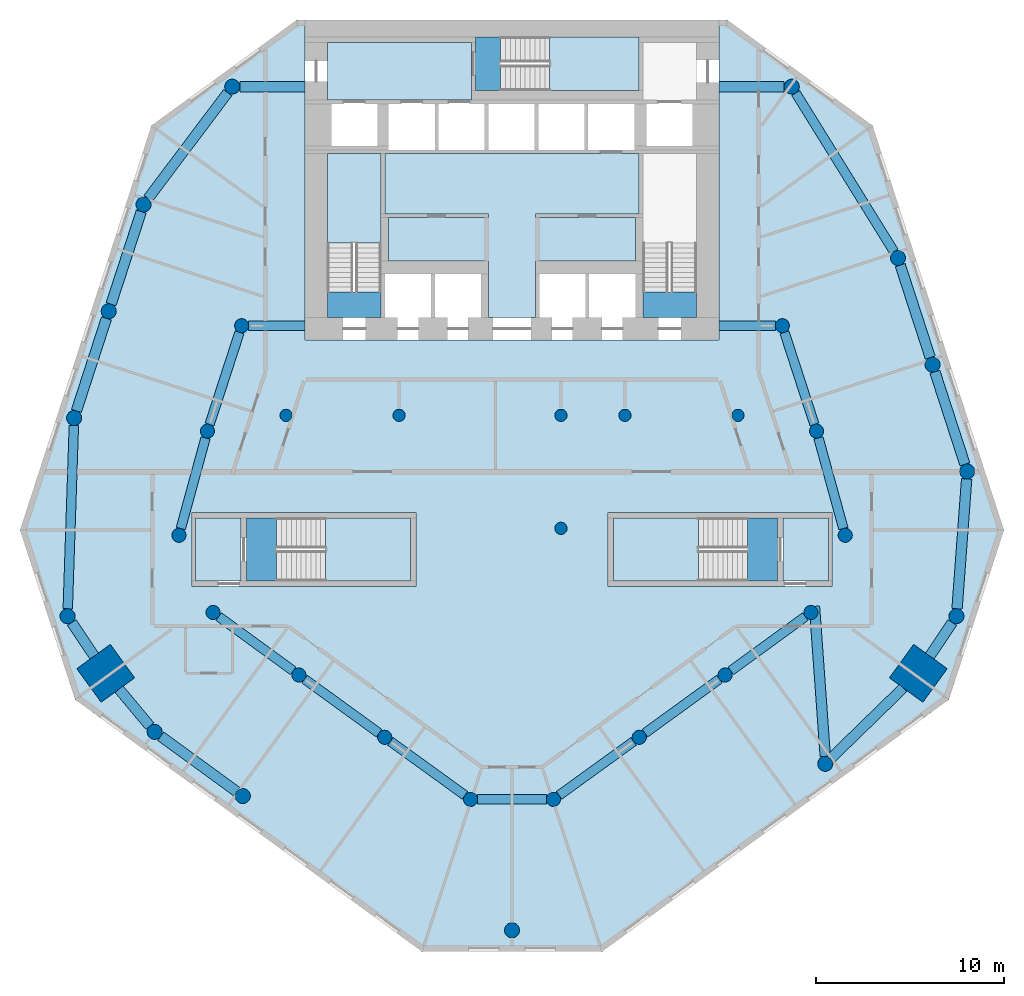
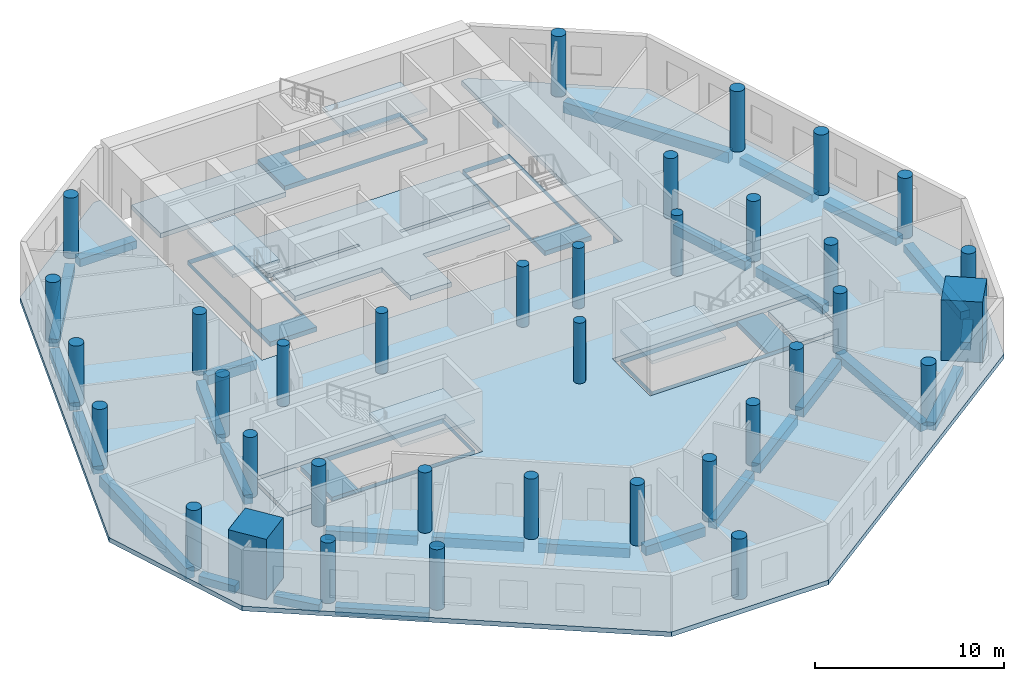
# One storey, part 1 of 9: 36 columns, 29 beams, 14 slabs, 4 elements without a shape of their own.
"""IFC4 building model written with IfcOpenShell, lengths in metres."""

from ifc_helpers import new_model, si_unit, direction, frame, origin, origin_2d, place, context, subcontext, project, spatial, polyline, rectangle, circle, outline, extrude, material, layer, layer_set, material_profile, profile_set, type_object, element, aggregate, save


model = new_model("IFC4")

# Units and contexts
model_context = context("Model", 3, precision=1e-05, world=origin(), true_north=direction((0.0, 1.0)))
body_context = subcontext(model_context, "Body", "Model", "MODEL_VIEW")
ifc_project = project(units=[si_unit("LENGTHUNIT", "METRE"), si_unit("AREAUNIT", "SQUARE_METRE"), si_unit("VOLUMEUNIT", "CUBIC_METRE"), si_unit("PLANEANGLEUNIT", "RADIAN"), si_unit("MASSUNIT", "GRAM", prefix="KILO")], contexts=[model_context])

# Site, building, storey
site_placement = place(None, origin())
site = spatial("IfcSite", under=ifc_project, at=site_placement, CompositionType="ELEMENT")
building_placement = place(site_placement, origin())
building = spatial("IfcBuilding", under=site, at=building_placement, Name="White Candle Pilgrim Tower", CompositionType="ELEMENT")
storey_placement = place(building_placement, frame((0.0, 0.0, 74.10009765625)))
storey = spatial("IfcBuildingStorey", under=building, at=storey_placement, Name="L15", CompositionType="ELEMENT", Elevation=74.10009765625)

# Columns
ifc_material_1 = material(Name="Concrete C80/95", Category="concrete")
ifc_material_profile_1 = material_profile(ifc_material_1, circle(Radius=0.324951171875, at=origin_2d()), Name="RC-COL D650")
ifc_profile_set_1 = profile_set([ifc_material_profile_1], Name="Concrete C80/95")
column_type_1 = type_object("IfcColumnType", Name="Interior column RC-COL D650 C80/95", PredefinedType="COLUMN", material=ifc_profile_set_1)
for number, where, z_axis, x_axis, name in (
    (1, (58.0, 67.0, 0.0), (0.0, 0.0, 1.0), (1.0, 0.0, 0.0), "L15 column I01"),
    (2, (64.0, 67.0, 0.0), (0.0, 0.0, 1.0), (1.0, 0.0, 0.0), "L15 column I02"),
    (3, (72.60009765625, 61.0, 0.0), (0.0, 0.0, 1.0), (1.0, 0.0, 0.0), "L15 column I03"),
    (4, (72.60009765625, 67.0, 0.0), (0.0, 0.0, 1.0), (1.0, 0.0, 0.0), "L15 column I04"),
    (5, (76.0, 67.0, 0.0), (0.0, 0.0, 1.0), (1.0, 0.0, 0.0), "L15 column I05"),
    (6, (82.0, 67.0, 0.0), (0.0, 0.0, 1.0), (1.0, 0.0, 0.0), "L15 column I06"),
):
    element("IfcColumn", number, at=place(storey_placement, frame(where, z_axis=z_axis, x_axis=x_axis)), inside=storey, type_object=column_type_1, Name=name, PredefinedType="COLUMN", context=body_context, shape_type="SweptSolid", body=[
        extrude(circle(Radius=0.324951171875, at=origin_2d()), origin(), (0.0, 0.0, 1.0), 3.89990234375),
    ])
ifc_material_profile_2 = material_profile(ifc_material_1, rectangle(XDim=2.199951171875, YDim=2.199951171875, at=origin_2d()), Name="RC 2200x2200")
ifc_profile_set_2 = profile_set([ifc_material_profile_2], Name="Concrete C80/95")
column_type_2 = type_object("IfcColumnType", Name="Mega column RC 2200x2200 C80/95", PredefinedType="COLUMN", material=ifc_profile_set_2)
for number, where, z_axis, x_axis, name in (
    (7, (48.419921875, 53.300048828125, 0.0), (0.0, 0.0, 1.0), (-0.809016994375, -0.587785252292, 0.0), "L15 mega column T02"),
    (8, (91.580078125, 53.300048828125, 0.0), (0.0, 0.0, 1.0), (0.809016994375, -0.587785252292, 0.0), "L15 mega column T07"),
):
    element("IfcColumn", number, at=place(storey_placement, frame(where, z_axis=z_axis, x_axis=x_axis)), inside=storey, type_object=column_type_2, Name=name, PredefinedType="COLUMN", context=body_context, shape_type="SweptSolid", body=[
        extrude(rectangle(XDim=2.199951171875, YDim=2.199951171875, at=origin_2d()), origin(), (0.0, 0.0, 1.0), 3.89990234375),
    ])
ifc_material_profile_3 = material_profile(ifc_material_1, circle(Radius=0.39990234375, at=origin_2d()), Name="RC-COL D800")
ifc_profile_set_3 = profile_set([ifc_material_profile_3], Name="Concrete C80/95")
column_type_3 = type_object("IfcColumnType", Name="Perimeter column RC-COL D800 C80/95", PredefinedType="COLUMN", material=ifc_profile_set_3)
for number, where, z_axis, x_axis, name in (
    (9, (46.389892578125, 56.330078125, 0.0), (0.0, 0.0, 1.0), (1.0, 0.0, 0.0), "L15 column T01"),
    (10, (51.02001953125, 50.18994140625, 0.0), (0.0, 0.0, 1.0), (1.0, 0.0, 0.0), "L15 column T03"),
    (11, (55.699951171875, 46.780029296875, 0.0), (0.0, 0.0, 1.0), (1.0, 0.0, 0.0), "L15 column T04"),
    (12, (70.0, 39.64990234375, 0.0), (0.0, 0.0, 1.0), (1.0, 0.0, 0.0), "L15 column T05"),
    (13, (86.639892578125, 48.489990234375, 0.0), (0.0, 0.0, 1.0), (1.0, 0.0, 0.0), "L15 column T06"),
    (14, (93.610107421875, 56.330078125, 0.0), (0.0, 0.0, 1.0), (1.0, 0.0, 0.0), "L15 column T08"),
    (15, (94.179931640625, 64.02001953125, 0.0), (0.0, 0.0, 1.0), (1.0, 0.0, 0.0), "L15 column T09"),
    (16, (92.340087890625, 69.68994140625, 0.0), (0.0, 0.0, 1.0), (1.0, 0.0, 0.0), "L15 column T10"),
    (17, (90.5, 75.360107421875, 0.0), (0.0, 0.0, 1.0), (1.0, 0.0, 0.0), "L15 column T11"),
    (18, (84.860107421875, 84.4599609375, 0.0), (0.0, 0.0, 1.0), (1.0, 0.0, 0.0), "L15 column T12"),
    (19, (55.139892578125, 84.4599609375, 0.0), (0.0, 0.0, 1.0), (1.0, 0.0, 0.0), "L15 column T13"),
    (20, (50.429931640625, 78.199951171875, 0.0), (0.0, 0.0, 1.0), (1.0, 0.0, 0.0), "L15 column T14"),
    (21, (48.580078125, 72.530029296875, 0.0), (0.0, 0.0, 1.0), (1.0, 0.0, 0.0), "L15 column T15"),
    (22, (46.739990234375, 66.860107421875, 0.0), (0.0, 0.0, 1.0), (1.0, 0.0, 0.0), "L15 column T16"),
):
    element("IfcColumn", number, at=place(storey_placement, frame(where, z_axis=z_axis, x_axis=x_axis)), inside=storey, type_object=column_type_3, Name=name, PredefinedType="COLUMN", context=body_context, shape_type="SweptSolid", body=[
        extrude(circle(Radius=0.39990234375, at=origin_2d()), origin(), (0.0, 0.0, 1.0), 3.89990234375),
    ])
ifc_material_profile_4 = material_profile(ifc_material_1, circle(Radius=0.375, at=origin_2d()), Name="RC-COL D750")
ifc_profile_set_4 = profile_set([ifc_material_profile_4], Name="Concrete C80/95")
column_type_4 = type_object("IfcColumnType", Name="Ring column RC-COL D750 C80/95", PredefinedType="COLUMN", material=ifc_profile_set_4)
for number, where, z_axis, x_axis, name in (
    (23, (52.31005859375, 60.6298828125, 0.0), (0.0, 0.0, 1.0), (1.0, 0.0, 0.0), "L15 column R01"),
    (24, (54.1201171875, 56.530029296875, 0.0), (0.0, 0.0, 1.0), (1.0, 0.0, 0.0), "L15 column R02"),
    (25, (58.679931640625, 53.2099609375, 0.0), (0.0, 0.0, 1.0), (1.0, 0.0, 0.0), "L15 column R03"),
    (26, (63.239990234375, 49.89990234375, 0.0), (0.0, 0.0, 1.0), (1.0, 0.0, 0.0), "L15 column R04"),
    (27, (67.800048828125, 46.60009765625, 0.0), (0.0, 0.0, 1.0), (1.0, 0.0, 0.0), "L15 column R05"),
    (28, (72.199951171875, 46.60009765625, 0.0), (0.0, 0.0, 1.0), (1.0, 0.0, 0.0), "L15 column R06"),
    (29, (76.760009765625, 49.89990234375, 0.0), (0.0, 0.0, 1.0), (1.0, 0.0, 0.0), "L15 column R07"),
    (30, (81.320068359375, 53.2099609375, 0.0), (0.0, 0.0, 1.0), (1.0, 0.0, 0.0), "L15 column R08"),
    (31, (85.8798828125, 56.530029296875, 0.0), (0.0, 0.0, 1.0), (1.0, 0.0, 0.0), "L15 column R09"),
    (32, (87.699951171875, 60.6298828125, 0.0), (0.0, 0.0, 1.0), (1.0, 0.0, 0.0), "L15 column R10"),
    (33, (86.179931640625, 66.159912109375, 0.0), (0.0, 0.0, 1.0), (1.0, 0.0, 0.0), "L15 column R11"),
    (34, (84.360107421875, 71.760009765625, 0.0), (0.0, 0.0, 1.0), (1.0, 0.0, 0.0), "L15 column R12"),
    (35, (55.639892578125, 71.760009765625, 0.0), (0.0, 0.0, 1.0), (1.0, 0.0, 0.0), "L15 column R13"),
    (36, (53.820068359375, 66.159912109375, 0.0), (0.0, 0.0, 1.0), (1.0, 0.0, 0.0), "L15 column R14"),
):
    element("IfcColumn", number, at=place(storey_placement, frame(where, z_axis=z_axis, x_axis=x_axis)), inside=storey, type_object=column_type_4, Name=name, PredefinedType="COLUMN", context=body_context, shape_type="SweptSolid", body=[
        extrude(circle(Radius=0.375, at=origin_2d()), origin(), (0.0, 0.0, 1.0), 3.89990234375),
    ])

# Beams
ifc_material_2 = material(Name="Concrete C50/60", Category="concrete")
ifc_material_profile_5 = material_profile(ifc_material_2, rectangle(XDim=0.5, YDim=0.60009765625, at=origin_2d()), Name="RC-BM 500x600")
ifc_profile_set_5 = profile_set([ifc_material_profile_5], Name="Concrete C50/60")
beam_type_1 = type_object("IfcBeamType", Name="Ring beam RC-BM 500x600 C50/60", PredefinedType="BEAM", material=ifc_profile_set_5)
beam_1_placement = place(storey_placement, frame((54.423095703125, 56.309326171875, -0.60009765625), z_axis=(0.808431607518, -0.58859012561, 0.0), x_axis=(0.58859012561, 0.808431607518, 0.0)))
element("IfcBeam", 37, at=beam_1_placement, inside=storey, type_object=beam_type_1, Name="L15 ring beam R01", PredefinedType="BEAM", context=body_context, shape_type="SweptSolid", body=[
    extrude(rectangle(XDim=0.5, YDim=0.60009765625, at=origin_2d()), origin(), (0.0, 0.0, 1.0), 4.890869140625),
])
beam_2_placement = place(storey_placement, frame((58.9833984375, 52.98974609375, -0.60009765625), z_axis=(0.809276033964, -0.587428549572, 0.0), x_axis=(0.587428549572, 0.809276033964, 0.0)))
element("IfcBeam", 38, at=beam_2_placement, inside=storey, type_object=beam_type_1, Name="L15 ring beam R02", PredefinedType="BEAM", context=body_context, shape_type="SweptSolid", body=[
    extrude(rectangle(XDim=0.5, YDim=0.60009765625, at=origin_2d()), origin(), (0.0, 0.0, 1.0), 4.885009765625),
])
beam_3_placement = place(storey_placement, frame((63.543701171875, 49.680419921875, -0.60009765625), z_axis=(0.810079795278, -0.586319644291, 0.0), x_axis=(0.586319644291, 0.810079795278, 0.0)))
element("IfcBeam", 39, at=beam_3_placement, inside=storey, type_object=beam_type_1, Name="L15 ring beam R03", PredefinedType="BEAM", context=body_context, shape_type="SweptSolid", body=[
    extrude(rectangle(XDim=0.5, YDim=0.60009765625, at=origin_2d()), origin(), (0.0, 0.0, 1.0), 4.87939453125),
])
beam_4_placement = place(storey_placement, frame((68.175048828125, 46.60009765625, -0.60009765625), z_axis=(1.0, 0.0, 0.0), x_axis=(0.0, 1.0, 0.0)))
element("IfcBeam", 40, at=beam_4_placement, inside=storey, type_object=beam_type_1, Name="L15 ring beam R04", PredefinedType="BEAM", context=body_context, shape_type="SweptSolid", body=[
    extrude(rectangle(XDim=0.5, YDim=0.60009765625, at=origin_2d()), origin(), (0.0, 0.0, 1.0), 3.64990234375),
])
beam_5_placement = place(storey_placement, frame((72.503662109375, 46.819580078125, -0.60009765625), z_axis=(0.810079795278, 0.586319644291, 0.0), x_axis=(-0.586319644291, 0.810079795278, 0.0)))
element("IfcBeam", 41, at=beam_5_placement, inside=storey, type_object=beam_type_1, Name="L15 ring beam R05", PredefinedType="BEAM", context=body_context, shape_type="SweptSolid", body=[
    extrude(rectangle(XDim=0.5, YDim=0.60009765625, at=origin_2d()), origin(), (0.0, 0.0, 1.0), 4.87939453125),
])
beam_6_placement = place(storey_placement, frame((77.063232421875, 50.1201171875, -0.60009765625), z_axis=(0.809276033964, 0.587428549572, 0.0), x_axis=(-0.587428549572, 0.809276033964, 0.0)))
element("IfcBeam", 42, at=beam_6_placement, inside=storey, type_object=beam_type_1, Name="L15 ring beam R06", PredefinedType="BEAM", context=body_context, shape_type="SweptSolid", body=[
    extrude(rectangle(XDim=0.5, YDim=0.60009765625, at=origin_2d()), origin(), (0.0, 0.0, 1.0), 4.885009765625),
])
beam_7_placement = place(storey_placement, frame((81.623046875, 53.4306640625, -0.60009765625), z_axis=(0.808431607518, 0.58859012561, 0.0), x_axis=(-0.58859012561, 0.808431607518, 0.0)))
element("IfcBeam", 43, at=beam_7_placement, inside=storey, type_object=beam_type_1, Name="L15 ring beam R07", PredefinedType="BEAM", context=body_context, shape_type="SweptSolid", body=[
    extrude(rectangle(XDim=0.5, YDim=0.60009765625, at=origin_2d()), origin(), (0.0, 0.0, 1.0), 4.890869140625),
])
beam_8_placement = place(storey_placement, frame((87.6005859375, 60.991455078125, -0.60009765625), z_axis=(-0.265031278819, 0.964239815216, 0.0), x_axis=(-0.964239815216, -0.265031278819, 0.0)))
element("IfcBeam", 44, at=beam_8_placement, inside=storey, type_object=beam_type_1, Name="L15 ring beam R08", PredefinedType="BEAM", context=body_context, shape_type="SweptSolid", body=[
    extrude(rectangle(XDim=0.5, YDim=0.60009765625, at=origin_2d()), origin(), (0.0, 0.0, 1.0), 4.9853515625),
])
beam_9_placement = place(storey_placement, frame((86.064208984375, 66.5166015625, -0.60009765625), z_axis=(-0.309106483996, 0.9510274347, 0.0), x_axis=(-0.9510274347, -0.309106483996, 0.0)))
element("IfcBeam", 45, at=beam_9_placement, inside=storey, type_object=beam_type_1, Name="L15 ring beam R09", PredefinedType="BEAM", context=body_context, shape_type="SweptSolid", body=[
    extrude(rectangle(XDim=0.5, YDim=0.60009765625, at=origin_2d()), origin(), (0.0, 0.0, 1.0), 5.138671875),
])
for number, where, z_axis, x_axis, name in (
    (46, (83.985107421875, 71.760009765625, -0.60009765625), (-1.0, 0.0, 0.0), (0.0, -1.0, 0.0), "L15 ring beam R10"),
    (47, (56.014892578125, 71.760009765625, -0.60009765625), (1.0, 0.0, 0.0), (0.0, 1.0, 0.0), "L15 ring beam R11"),
):
    element("IfcBeam", number, at=place(storey_placement, frame(where, z_axis=z_axis, x_axis=x_axis)), inside=storey, type_object=beam_type_1, Name=name, PredefinedType="BEAM", context=body_context, shape_type="SweptSolid", body=[
        extrude(rectangle(XDim=0.5, YDim=0.60009765625, at=origin_2d()), origin(), (0.0, 0.0, 1.0), 2.985107421875),
    ])
beam_10_placement = place(storey_placement, frame((55.524169921875, 71.403564453125, -0.60009765625), z_axis=(-0.309106483996, -0.9510274347, 0.0), x_axis=(0.9510274347, -0.309106483996, 0.0)))
element("IfcBeam", 48, at=beam_10_placement, inside=storey, type_object=beam_type_1, Name="L15 ring beam R12", PredefinedType="BEAM", context=body_context, shape_type="SweptSolid", body=[
    extrude(rectangle(XDim=0.5, YDim=0.60009765625, at=origin_2d()), origin(), (0.0, 0.0, 1.0), 5.138671875),
])
beam_11_placement = place(storey_placement, frame((53.72119140625, 65.79833984375, -0.60009765625), z_axis=(-0.263415907103, -0.964682362172, 0.0), x_axis=(0.964682362172, -0.263415907103, 0.0)))
element("IfcBeam", 49, at=beam_11_placement, inside=storey, type_object=beam_type_1, Name="L15 ring beam R13", PredefinedType="BEAM", context=body_context, shape_type="SweptSolid", body=[
    extrude(rectangle(XDim=0.5, YDim=0.60009765625, at=origin_2d()), origin(), (0.0, 0.0, 1.0), 4.982666015625),
])
ifc_material_profile_6 = material_profile(ifc_material_2, rectangle(XDim=0.5, YDim=0.699951171875, at=origin_2d()), Name="RC-BM 500x700")
ifc_profile_set_6 = profile_set([ifc_material_profile_6], Name="Concrete C50/60")
beam_type_2 = type_object("IfcBeamType", Name="Spandrel beam RC-BM 500x700 C50/60", PredefinedType="BEAM", material=ifc_profile_set_6)
beam_12_placement = place(storey_placement, frame((90.289306640625, 75.69970703125, -0.650146484375), z_axis=(-0.526800809553, 0.849988768781, 0.0), x_axis=(-0.849988768781, -0.526800809553, 0.0)))
element("IfcBeam", 50, at=beam_12_placement, inside=storey, type_object=beam_type_2, Name="L15 spandrel beam T10", PredefinedType="BEAM", context=body_context, shape_type="SweptSolid", body=[
    extrude(rectangle(XDim=0.5, YDim=0.699951171875, at=origin_2d()), origin(), (0.0, 0.0, 1.0), 9.906494140625),
])
beam_13_placement = place(storey_placement, frame((46.726806640625, 66.46044921875, -0.650146484375), z_axis=(-0.033224659514, -0.999447908598, 0.0), x_axis=(0.999447908598, -0.033224659514, 0.0)))
element("IfcBeam", 51, at=beam_13_placement, inside=storey, type_object=beam_type_2, Name="L15 spandrel beam T16", PredefinedType="BEAM", context=body_context, shape_type="SweptSolid", body=[
    extrude(rectangle(XDim=0.5, YDim=0.699951171875, at=origin_2d()), origin(), (0.0, 0.0, 1.0), 9.736328125),
])
ifc_material_profile_7 = material_profile(ifc_material_2, rectangle(XDim=0.550048828125, YDim=0.5, at=origin_2d()), Name="RC-BM 550x500")
ifc_profile_set_7 = profile_set([ifc_material_profile_7], Name="Concrete C50/60")
beam_type_3 = type_object("IfcBeamType", Name="Spandrel beam RC-BM 550x500 C50/60", PredefinedType="BEAM", material=ifc_profile_set_7)
beam_14_placement = place(storey_placement, frame((46.612548828125, 55.997802734375, -0.550048828125), z_axis=(0.556641005169, -0.830753147069, 0.0), x_axis=(0.830753147069, 0.556641005169, 0.0)))
element("IfcBeam", 52, at=beam_14_placement, inside=storey, type_object=beam_type_3, Name="L15 spandrel beam T01", PredefinedType="BEAM", context=body_context, shape_type="SweptSolid", body=[
    extrude(rectangle(XDim=0.550048828125, YDim=0.5, at=origin_2d()), origin(), (0.0, 0.0, 1.0), 2.146484375),
])
beam_15_placement = place(storey_placement, frame((49.127197265625, 52.4541015625, -0.550048828125), z_axis=(0.641388324436, -0.767216408373, 0.0), x_axis=(0.767216408373, 0.641388324436, 0.0)))
element("IfcBeam", 53, at=beam_15_placement, inside=storey, type_object=beam_type_3, Name="L15 spandrel beam T02", PredefinedType="BEAM", context=body_context, shape_type="SweptSolid", body=[
    extrude(rectangle(XDim=0.550048828125, YDim=0.5, at=origin_2d()), origin(), (0.0, 0.0, 1.0), 2.551513671875),
])
beam_16_placement = place(storey_placement, frame((51.343017578125, 49.95458984375, -0.550048828125), z_axis=(0.808217539001, -0.588884037525, 0.0), x_axis=(0.588884037525, 0.808217539001, 0.0)))
element("IfcBeam", 54, at=beam_16_placement, inside=storey, type_object=beam_type_3, Name="L15 spandrel beam T03", PredefinedType="BEAM", context=body_context, shape_type="SweptSolid", body=[
    extrude(rectangle(XDim=0.550048828125, YDim=0.5, at=origin_2d()), origin(), (0.0, 0.0, 1.0), 4.9912109375),
])
beam_17_placement = place(storey_placement, frame((86.639892578125, 48.889892578125, -0.550048828125), z_axis=(-0.071694624988, 0.997426629255, 0.0), x_axis=(-0.997426629255, -0.071694624988, 0.0)))
element("IfcBeam", 55, at=beam_17_placement, inside=storey, type_object=beam_type_3, Name="L15 spandrel beam T04", PredefinedType="BEAM", context=body_context, shape_type="SweptSolid", body=[
    extrude(rectangle(XDim=0.550048828125, YDim=0.5, at=origin_2d()), origin(), (0.0, 0.0, 1.0), 7.9853515625),
])
beam_18_placement = place(storey_placement, frame((86.926513671875, 48.768798828125, -0.550048828125), z_axis=(0.716462232914, 0.697625880259, 0.0), x_axis=(-0.697625880259, 0.716462232914, 0.0)))
element("IfcBeam", 56, at=beam_18_placement, inside=storey, type_object=beam_type_3, Name="L15 spandrel beam T05", PredefinedType="BEAM", context=body_context, shape_type="SweptSolid", body=[
    extrude(rectangle(XDim=0.550048828125, YDim=0.5, at=origin_2d()), origin(), (0.0, 0.0, 1.0), 5.37890625),
])
beam_19_placement = place(storey_placement, frame((92.192626953125, 54.214599609375, -0.550048828125), z_axis=(0.556641005169, 0.830753147069, 0.0), x_axis=(-0.830753147069, 0.556641005169, 0.0)))
element("IfcBeam", 57, at=beam_19_placement, inside=storey, type_object=beam_type_3, Name="L15 spandrel beam T06", PredefinedType="BEAM", context=body_context, shape_type="SweptSolid", body=[
    extrude(rectangle(XDim=0.550048828125, YDim=0.5, at=origin_2d()), origin(), (0.0, 0.0, 1.0), 2.146484375),
])
beam_20_placement = place(storey_placement, frame((93.6396484375, 56.728759765625, -0.550048828125), z_axis=(0.073900311906, 0.99726563357, 0.0), x_axis=(-0.99726563357, 0.073900311906, 0.0)))
element("IfcBeam", 58, at=beam_20_placement, inside=storey, type_object=beam_type_3, Name="L15 spandrel beam T07", PredefinedType="BEAM", context=body_context, shape_type="SweptSolid", body=[
    extrude(rectangle(XDim=0.550048828125, YDim=0.5, at=origin_2d()), origin(), (0.0, 0.0, 1.0), 6.9111328125),
])
for number, where, z_axis, x_axis, name in (
    (59, (94.056640625, 64.400390625, -0.550048828125), (-0.308682827488, 0.951165028801, 0.0), (-0.951165028801, -0.308682827488, 0.0), "L15 spandrel beam T08"),
    (60, (92.216552734375, 70.0703125, -0.550048828125), (-0.308682827488, 0.951165028801, 0.0), (-0.951165028801, -0.308682827488, 0.0), "L15 spandrel beam T09"),
):
    element("IfcBeam", number, at=place(storey_placement, frame(where, z_axis=z_axis, x_axis=x_axis)), inside=storey, type_object=beam_type_3, Name=name, PredefinedType="BEAM", context=body_context, shape_type="SweptSolid", body=[
        extrude(rectangle(XDim=0.550048828125, YDim=0.5, at=origin_2d()), origin(), (0.0, 0.0, 1.0), 5.161376953125),
    ])
for number, where, z_axis, x_axis, name in (
    (61, (84.4599609375, 84.4599609375, -0.550048828125), (-1.0, 0.0, 0.0), (0.0, -1.0, 0.0), "L15 spandrel beam T11"),
    (62, (55.5400390625, 84.4599609375, -0.550048828125), (1.0, 0.0, 0.0), (0.0, 1.0, 0.0), "L15 spandrel beam T12"),
):
    element("IfcBeam", number, at=place(storey_placement, frame(where, z_axis=z_axis, x_axis=x_axis)), inside=storey, type_object=beam_type_3, Name=name, PredefinedType="BEAM", context=body_context, shape_type="SweptSolid", body=[
        extrude(rectangle(XDim=0.550048828125, YDim=0.5, at=origin_2d()), origin(), (0.0, 0.0, 1.0), 3.4599609375),
    ])
beam_21_placement = place(storey_placement, frame((54.899658203125, 84.140380859375, -0.550048828125), z_axis=(-0.601237643972, -0.79907026942, 0.0), x_axis=(0.79907026942, -0.601237643972, 0.0)))
element("IfcBeam", 63, at=beam_21_placement, inside=storey, type_object=beam_type_3, Name="L15 spandrel beam T13", PredefinedType="BEAM", context=body_context, shape_type="SweptSolid", body=[
    extrude(rectangle(XDim=0.550048828125, YDim=0.5, at=origin_2d()), origin(), (0.0, 0.0, 1.0), 7.0341796875),
])
beam_22_placement = place(storey_placement, frame((50.305908203125, 77.81982421875, -0.550048828125), z_axis=(-0.310165508273, -0.950682574511, 0.0), x_axis=(0.950682574511, -0.310165508273, 0.0)))
element("IfcBeam", 64, at=beam_22_placement, inside=storey, type_object=beam_type_3, Name="L15 spandrel beam T14", PredefinedType="BEAM", context=body_context, shape_type="SweptSolid", body=[
    extrude(rectangle(XDim=0.550048828125, YDim=0.5, at=origin_2d()), origin(), (0.0, 0.0, 1.0), 5.164306640625),
])
beam_23_placement = place(storey_placement, frame((48.45654296875, 72.149658203125, -0.550048828125), z_axis=(-0.308682827488, -0.951165028801, 0.0), x_axis=(0.951165028801, -0.308682827488, 0.0)))
element("IfcBeam", 65, at=beam_23_placement, inside=storey, type_object=beam_type_3, Name="L15 spandrel beam T15", PredefinedType="BEAM", context=body_context, shape_type="SweptSolid", body=[
    extrude(rectangle(XDim=0.550048828125, YDim=0.5, at=origin_2d()), origin(), (0.0, 0.0, 1.0), 5.161376953125),
])

# Slabs
ifc_material_3 = material(Name="Concrete C40/50", Category="concrete")
ifc_layer_1 = layer(ifc_material_3, 0.300048828125)
ifc_layer_set_1 = layer_set([ifc_layer_1], Name="Core floor slab 300 mm Concrete C40/50")
slab_type_1 = type_object("IfcSlabType", Name="Core floor slab 300 mm Concrete C40/50", PredefinedType="FLOOR", material=ifc_layer_set_1)
slab_1_placement = place(storey_placement, frame((0.0, 0.0, -0.300048828125)))
element("IfcSlab", 66, at=slab_1_placement, inside=storey, type_object=slab_type_1, Name="CF-L15-01", PredefinedType="FLOOR", context=body_context, shape_type="SweptSolid", body=[
    extrude(outline(polyline([(55.60009765625, 58.199951171875), (53.199951171875, 58.199951171875), (53.199951171875, 61.550048828125), (55.60009765625, 61.550048828125), (55.60009765625, 58.199951171875)])), origin(), (0.0, 0.0, 1.0), 0.300048828125),
])
slab_2_placement = place(storey_placement, frame((0.0, 0.0, -0.300048828125)))
element("IfcSlab", 67, at=slab_2_placement, inside=storey, type_object=slab_type_1, Name="CF-L15-02", PredefinedType="FLOOR", context=body_context, shape_type="SweptSolid", body=[
    extrude(outline(polyline([(55.89990234375, 58.199951171875), (55.89990234375, 61.550048828125), (64.60009765625, 61.550048828125), (64.60009765625, 58.199951171875), (55.89990234375, 58.199951171875)]), holes=[polyline([(57.501953125, 61.548095703125), (57.501953125, 58.201904296875), (64.597900390625, 58.201904296875), (64.597900390625, 61.548095703125), (57.501953125, 61.548095703125)])]), origin(), (0.0, 0.0, 1.0), 0.300048828125),
])
slab_3_placement = place(storey_placement, frame((0.0, 0.0, -0.300048828125)))
element("IfcSlab", 68, at=slab_3_placement, inside=storey, type_object=slab_type_1, Name="CF-L15-03", PredefinedType="FLOOR", context=body_context, shape_type="SweptSolid", body=[
    extrude(outline(polyline([(75.39990234375, 58.199951171875), (75.39990234375, 61.550048828125), (84.10009765625, 61.550048828125), (84.10009765625, 58.199951171875), (75.39990234375, 58.199951171875)]), holes=[polyline([(82.498046875, 58.201904296875), (82.498046875, 61.548095703125), (75.402099609375, 61.548095703125), (75.402099609375, 58.201904296875), (82.498046875, 58.201904296875)])]), origin(), (0.0, 0.0, 1.0), 0.300048828125),
])
slab_4_placement = place(storey_placement, frame((0.0, 0.0, -0.300048828125)))
element("IfcSlab", 69, at=slab_4_placement, inside=storey, type_object=slab_type_1, Name="CF-L15-04", PredefinedType="FLOOR", context=body_context, shape_type="SweptSolid", body=[
    extrude(outline(polyline([(86.800048828125, 58.199951171875), (84.39990234375, 58.199951171875), (84.39990234375, 61.550048828125), (86.800048828125, 61.550048828125), (86.800048828125, 58.199951171875)])), origin(), (0.0, 0.0, 1.0), 0.300048828125),
])
slab_5_placement = place(storey_placement, frame((0.0, 0.0, -0.300048828125)))
element("IfcSlab", 70, at=slab_5_placement, inside=storey, type_object=slab_type_1, Name="CF-L15-05", PredefinedType="FLOOR", context=body_context, shape_type="SweptSolid", body=[
    extrude(outline(polyline([(76.75, 87.10009765625), (76.75, 86.800048828125), (76.75, 84.25), (68.050048828125, 84.25), (68.050048828125, 86.800048828125), (68.050048828125, 87.10009765625), (76.75, 87.10009765625)]), holes=[polyline([(69.402099609375, 87.097900390625), (69.402099609375, 84.251953125), (76.748046875, 84.251953125), (76.748046875, 87.097900390625), (69.402099609375, 87.097900390625)])]), origin(), (0.0, 0.0, 1.0), 0.300048828125),
])
slab_6_placement = place(storey_placement, frame((0.0, 0.0, -0.300048828125)))
element("IfcSlab", 71, at=slab_6_placement, inside=storey, type_object=slab_type_1, Name="CF-L15-07", PredefinedType="FLOOR", context=body_context, shape_type="SweptSolid", body=[
    extrude(outline(polyline([(79.800048828125, 72.199951171875), (76.949951171875, 72.199951171875), (76.949951171875, 74.5), (76.949951171875, 75.199951171875), (76.949951171875, 77.5), (76.949951171875, 77.699951171875), (76.949951171875, 80.89990234375), (79.800048828125, 80.89990234375), (79.800048828125, 72.199951171875)]), holes=[polyline([(76.951904296875, 73.552001953125), (79.798095703125, 73.552001953125), (79.798095703125, 80.89794921875), (76.951904296875, 80.89794921875), (76.951904296875, 73.552001953125)])]), origin(), (0.0, 0.0, 1.0), 0.300048828125),
])
slab_7_placement = place(storey_placement, frame((0.0, 0.0, -0.300048828125)))
element("IfcSlab", 72, at=slab_7_placement, inside=storey, type_object=slab_type_1, Name="CF-L15-08", PredefinedType="FLOOR", context=body_context, shape_type="SweptSolid", body=[
    extrude(outline(polyline([(68.75, 72.199951171875), (68.75, 74.5), (68.75, 75.199951171875), (63.449951171875, 75.199951171875), (63.449951171875, 77.5), (68.75, 77.5), (68.75, 77.699951171875), (63.25, 77.699951171875), (63.25, 80.89990234375), (76.75, 80.89990234375), (76.75, 77.699951171875), (71.25, 77.699951171875), (71.25, 77.5), (76.550048828125, 77.5), (76.550048828125, 75.199951171875), (71.25, 75.199951171875), (71.25, 74.5), (71.25, 72.199951171875), (68.75, 72.199951171875)])), origin(), (0.0, 0.0, 1.0), 0.300048828125),
])
slab_8_placement = place(storey_placement, frame((0.0, 0.0, -0.300048828125)))
element("IfcSlab", 73, at=slab_8_placement, inside=storey, type_object=slab_type_1, Name="CF-L15-09", PredefinedType="FLOOR", context=body_context, shape_type="SweptSolid", body=[
    extrude(outline(polyline([(60.199951171875, 72.199951171875), (60.199951171875, 80.89990234375), (63.050048828125, 80.89990234375), (63.050048828125, 77.699951171875), (63.050048828125, 77.5), (63.050048828125, 75.199951171875), (63.050048828125, 74.5), (63.050048828125, 72.199951171875), (60.199951171875, 72.199951171875)]), holes=[polyline([(60.201904296875, 73.552001953125), (63.048095703125, 73.552001953125), (63.048095703125, 80.89794921875), (60.201904296875, 80.89794921875), (60.201904296875, 73.552001953125)])]), origin(), (0.0, 0.0, 1.0), 0.300048828125),
])
slab_9_placement = place(storey_placement, frame((0.0, 0.0, -0.300048828125)))
element("IfcSlab", 74, at=slab_9_placement, inside=storey, type_object=slab_type_1, Name="CF-L15-10", PredefinedType="FLOOR", context=body_context, shape_type="SweptSolid", body=[
    extrude(outline(polyline([(60.199951171875, 86.800048828125), (67.85009765625, 86.800048828125), (67.85009765625, 84.25), (67.85009765625, 83.75), (60.199951171875, 83.75), (60.199951171875, 86.800048828125)])), origin(), (0.0, 0.0, 1.0), 0.300048828125),
])
ifc_layer_2 = layer(ifc_material_3, 0.300048828125)
ifc_layer_set_2 = layer_set([ifc_layer_2], Name="Floor slab 300 REI 120")
slab_type_2 = type_object("IfcSlabType", Name="Floor slab 300 REI 120", PredefinedType="FLOOR", material=ifc_layer_set_2)
slab_10_placement = place(storey_placement, frame((0.0, 0.0, -0.300048828125)))
element("IfcSlab", 75, at=slab_10_placement, inside=storey, type_object=slab_type_2, Name="L15 floor slab", PredefinedType="FLOOR", context=body_context, shape_type="SweptSolid", body=[
    extrude(outline(polyline([(65.219482421875, 38.516357421875), (74.780517578125, 38.516357421875), (93.210205078125, 51.906005859375), (96.133544921875, 60.903564453125), (89.150146484375, 82.39599609375), (81.43701171875, 88.0), (81.0, 88.0), (81.0, 71.0), (59.0, 71.0), (59.0, 88.0), (58.56298828125, 88.0), (50.849853515625, 82.39599609375), (43.866455078125, 60.903564453125), (46.789794921875, 51.906005859375), (65.219482421875, 38.516357421875)]), holes=[polyline([(53.0, 57.89990234375), (53.0, 61.85009765625), (64.89990234375, 61.85009765625), (64.89990234375, 57.89990234375), (53.0, 57.89990234375)]), polyline([(75.10009765625, 57.89990234375), (75.10009765625, 61.85009765625), (87.0, 61.85009765625), (87.0, 57.89990234375), (75.10009765625, 57.89990234375)])]), origin(), (0.0, 0.0, 1.0), 0.300048828125),
])

# Stair, slab
stair_type_1 = type_object("IfcStairType", Name="Exit stair 1 flight width 1350 mm", PredefinedType="HALF_TURN_STAIR", material=ifc_material_3)
stair_1_placement = place(storey_placement, origin())
stair_1 = element("IfcStair", 76, at=stair_1_placement, inside=storey, type_object=stair_type_1, Name="L15 stair 1", PredefinedType="NOTDEFINED")
ifc_layer_3 = layer(ifc_material_3, 0.199951171875)
ifc_layer_set_3 = layer_set([ifc_layer_3], Name="Stair landing Concrete C40/50")
slab_type_3 = type_object("IfcSlabType", Name="Stair landing Concrete C40/50", PredefinedType="LANDING", material=ifc_layer_set_3)
slab_11_placement = place(storey_placement, frame((0.0, 0.0, 1.75)))
slab_11 = element("IfcSlab", 77, at=slab_11_placement, type_object=slab_type_3, Name="ST1 landing 1", PredefinedType="LANDING", context=body_context, shape_type="SweptSolid", body=[
    extrude(outline(polyline([(63.052001953125, 76.14794921875), (60.197998046875, 76.14794921875), (60.197998046875, 80.902099609375), (63.052001953125, 80.902099609375), (63.052001953125, 76.14794921875)])), origin(), (0.0, 0.0, 1.0), 0.199951171875),
])
aggregate(stair_1, [slab_11])

stair_type_2 = type_object("IfcStairType", Name="Exit stair 3 flight width 1350 mm", PredefinedType="HALF_TURN_STAIR", material=ifc_material_3)
stair_2_placement = place(storey_placement, origin())
stair_2 = element("IfcStair", 78, at=stair_2_placement, inside=storey, type_object=stair_type_2, Name="L15 stair 3", PredefinedType="NOTDEFINED")
slab_12_placement = place(storey_placement, frame((0.0, 0.0, 1.75)))
slab_12 = element("IfcSlab", 79, at=slab_12_placement, type_object=slab_type_3, Name="ST3 landing 1", PredefinedType="LANDING", context=body_context, shape_type="SweptSolid", body=[
    extrude(outline(polyline([(71.998046875, 84.248046875), (71.998046875, 87.10205078125), (76.751953125, 87.10205078125), (76.751953125, 84.248046875), (71.998046875, 84.248046875)])), origin(), (0.0, 0.0, 1.0), 0.199951171875),
])
aggregate(stair_2, [slab_12])

stair_type_3 = type_object("IfcStairType", Name="Exit stair 4 flight width 1600 mm", PredefinedType="HALF_TURN_STAIR", material=ifc_material_3)
stair_3_placement = place(storey_placement, origin())
stair_3 = element("IfcStair", 80, at=stair_3_placement, inside=storey, type_object=stair_type_3, Name="L15 stair 4", PredefinedType="NOTDEFINED")
slab_13_placement = place(storey_placement, frame((0.0, 0.0, 1.75)))
slab_13 = element("IfcSlab", 81, at=slab_13_placement, type_object=slab_type_3, Name="ST4 landing 1", PredefinedType="LANDING", context=body_context, shape_type="SweptSolid", body=[
    extrude(outline(polyline([(79.902099609375, 61.552001953125), (79.902099609375, 58.197998046875), (75.39794921875, 58.197998046875), (75.39794921875, 61.552001953125), (79.902099609375, 61.552001953125)])), origin(), (0.0, 0.0, 1.0), 0.199951171875),
])
aggregate(stair_3, [slab_13])

stair_type_4 = type_object("IfcStairType", Name="Exit stair 5 flight width 1600 mm", PredefinedType="HALF_TURN_STAIR", material=ifc_material_3)
stair_4_placement = place(storey_placement, origin())
stair_4 = element("IfcStair", 82, at=stair_4_placement, inside=storey, type_object=stair_type_4, Name="L15 stair 5", PredefinedType="NOTDEFINED")
slab_14_placement = place(storey_placement, frame((0.0, 0.0, 1.75)))
slab_14 = element("IfcSlab", 83, at=slab_14_placement, type_object=slab_type_3, Name="ST5 landing 1", PredefinedType="LANDING", context=body_context, shape_type="SweptSolid", body=[
    extrude(outline(polyline([(60.097900390625, 58.197998046875), (60.097900390625, 61.552001953125), (64.60205078125, 61.552001953125), (64.60205078125, 58.197998046875), (60.097900390625, 58.197998046875)])), origin(), (0.0, 0.0, 1.0), 0.199951171875),
])
aggregate(stair_4, [slab_14])

save(model, "model.ifc")
